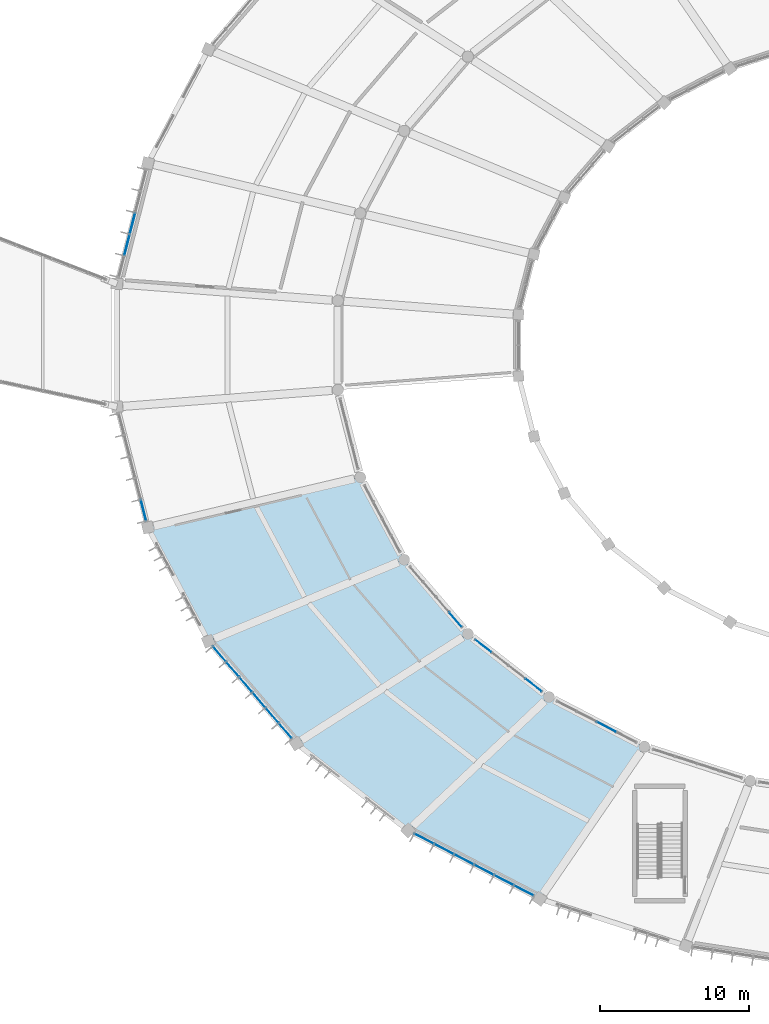
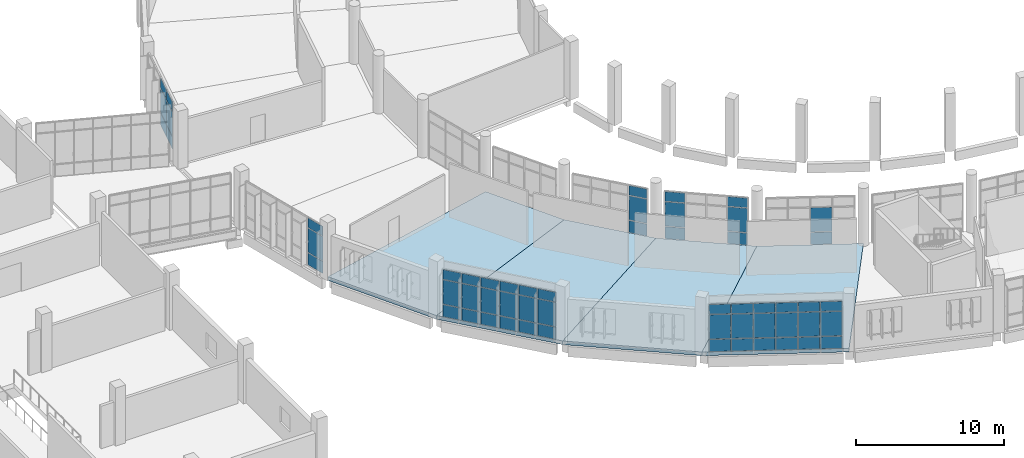
# One storey, part 85 of 179: 56 plates, 4 slabs, 7 elements without a shape of their own.
"""IFC4 building model written with IfcOpenShell, lengths in metres."""

from ifc_helpers import new_model, si_unit, direction, frame, origin, origin_2d, place, context, subcontext, project, spatial, polyline, rectangle, outline, extrude, material, layer, layer_set, type_object, element, aggregate, save


model = new_model("IFC4")

# Units and contexts
model_context = context("Model", 3, precision=1e-05, world=origin(), true_north=direction((0.0, 1.0)))
body_context = subcontext(model_context, "Body", "Model", "MODEL_VIEW")
ifc_project = project(units=[si_unit("LENGTHUNIT", "METRE"), si_unit("AREAUNIT", "SQUARE_METRE"), si_unit("VOLUMEUNIT", "CUBIC_METRE"), si_unit("PLANEANGLEUNIT", "RADIAN"), si_unit("MASSUNIT", "GRAM", prefix="KILO")], contexts=[model_context])

# Site, building, storey
site_placement = place(None, origin())
site = spatial("IfcSite", under=ifc_project, at=site_placement, CompositionType="ELEMENT")
building_placement = place(site_placement, origin())
building = spatial("IfcBuilding", under=site, at=building_placement, Name="Corvandel Quay Wholesale Market", CompositionType="ELEMENT")
storey_placement = place(building_placement, frame((0.0, 0.0, 6.0)))
storey = spatial("IfcBuildingStorey", under=building, at=storey_placement, Name="L01", CompositionType="ELEMENT", Elevation=6.0)

# Curtain wall, plates
ifc_material_1 = material(Name="Bronze anodised aluminium and low-E insulated glazing", Category="aluminium")
ifc_layer_1 = layer(ifc_material_1, 0.197998046875)
ifc_layer_set_1 = layer_set([ifc_layer_1], Name="Bronze anodised aluminium and low-E insulated glazing")
curtain_wall_type_1 = type_object("IfcCurtainWallType", Name="Stick Curtain Wall System CW19 H4710", PredefinedType="NOTDEFINED", material=ifc_layer_set_1)
curtain_wall_1_placement = place(storey_placement, origin())
curtain_wall_1 = element("IfcCurtainWall", 1, at=curtain_wall_1_placement, inside=storey, type_object=curtain_wall_type_1, Name="Curtain Wall CW-0043", PredefinedType="NOTDEFINED")
ifc_material_2 = material(Name="Solar-control low-E insulated glazing", Category="glass")
ifc_layer_2 = layer(ifc_material_2, 0.0400390625)
ifc_layer_set_2 = layer_set([ifc_layer_2], Name="Solar-control low-E insulated glazing")
plate_type_1 = type_object("IfcPlateType", Name="Ceramic Fritted Spandrel Panel PN03 40mm", PredefinedType="CURTAIN_PANEL", material=ifc_layer_set_2)
plate_1_placement = place(storey_placement, frame((61.03759765625, 50.194091796875, 3.1298828125), z_axis=(0.0, 0.0, 1.0), x_axis=(0.247675453076, 0.968843057437, 0.0)))
plate_1 = element("IfcPlate", 2, at=plate_1_placement, type_object=plate_type_1, Name="Glazing Panel CW-0043-P02-2", PredefinedType="CURTAIN_PANEL", context=body_context, shape_type="SweptSolid", body=[
    extrude(rectangle(XDim=1.429931640625, YDim=0.0400390625, at=origin_2d()), origin(), (0.0, 0.0, 1.0), 0.7900390625),
])
plate_2_placement = place(storey_placement, frame((60.6669921875, 48.74560546875, 3.1298828125), z_axis=(0.0, 0.0, 1.0), x_axis=(0.247675453076, 0.968843057437, 0.0)))
plate_2 = element("IfcPlate", 3, at=plate_2_placement, type_object=plate_type_1, Name="Glazing Panel CW-0043-P03-2", PredefinedType="CURTAIN_PANEL", context=body_context, shape_type="SweptSolid", body=[
    extrude(rectangle(XDim=1.429931640625, YDim=0.0400390625, at=origin_2d()), origin(), (0.0, 0.0, 1.0), 0.7900390625),
])

# Curtain wall, plate
ifc_layer_3 = layer(ifc_material_1, 0.162109375)
ifc_layer_set_3 = layer_set([ifc_layer_3], Name="Bronze anodised aluminium and low-E insulated glazing")
curtain_wall_type_2 = type_object("IfcCurtainWallType", Name="Stick Curtain Wall System CW21 H4890", PredefinedType="NOTDEFINED", material=ifc_layer_set_3)
curtain_wall_2_placement = place(storey_placement, origin())
curtain_wall_2 = element("IfcCurtainWall", 4, at=curtain_wall_2_placement, inside=storey, type_object=curtain_wall_type_2, Name="Curtain Wall CW-0048", PredefinedType="NOTDEFINED")
plate_3_placement = place(storey_placement, frame((61.7783203125, 30.9091796875, 3.1298828125), z_axis=(0.0, 0.0, 1.0), x_axis=(-0.247675453076, 0.968843057437, 0.0)))
plate_3 = element("IfcPlate", 5, at=plate_3_placement, type_object=plate_type_1, Name="Glazing Panel CW-0048-P04-2", PredefinedType="CURTAIN_PANEL", context=body_context, shape_type="SweptSolid", body=[
    extrude(rectangle(XDim=1.429931640625, YDim=0.0400390625, at=origin_2d()), origin(), (0.0, 0.0, 1.0), 0.7900390625),
])

# Curtain wall, plates
ifc_layer_4 = layer(ifc_material_1, 0.18603515625)
ifc_layer_set_4 = layer_set([ifc_layer_4], Name="Bronze anodised aluminium and low-E insulated glazing")
curtain_wall_type_3 = type_object("IfcCurtainWallType", Name="Stick Curtain Wall System CW23 H5070", PredefinedType="NOTDEFINED", material=ifc_layer_set_4)
curtain_wall_3_placement = place(storey_placement, origin())
curtain_wall_3 = element("IfcCurtainWall", 6, at=curtain_wall_3_placement, inside=storey, type_object=curtain_wall_type_3, Name="Curtain Wall CW-0053", PredefinedType="NOTDEFINED")
plate_4_placement = place(storey_placement, frame((66.8828125, 21.248291015625, 3.1298828125), z_axis=(0.0, 0.0, 1.0), x_axis=(-0.651568967347, 0.758589401976, 0.0)))
plate_4 = element("IfcPlate", 7, at=plate_4_placement, type_object=plate_type_1, Name="Glazing Panel CW-0053-P00-2", PredefinedType="CURTAIN_PANEL", context=body_context, shape_type="SweptSolid", body=[
    extrude(rectangle(XDim=1.29638671875, YDim=0.0400390625, at=origin_2d()), origin(), (0.0, 0.0, 1.0), 0.7900390625),
])
plate_5_placement = place(storey_placement, frame((67.769775390625, 20.215576171875, 3.1298828125), z_axis=(0.0, 0.0, 1.0), x_axis=(-0.651568967347, 0.758589401976, 0.0)))
plate_5 = element("IfcPlate", 8, at=plate_5_placement, type_object=plate_type_1, Name="Glazing Panel CW-0053-P01-2", PredefinedType="CURTAIN_PANEL", context=body_context, shape_type="SweptSolid", body=[
    extrude(rectangle(XDim=1.29638671875, YDim=0.0400390625, at=origin_2d()), origin(), (0.0, 0.0, 1.0), 0.7900390625),
])
plate_6_placement = place(storey_placement, frame((68.656982421875, 19.182861328125, 3.1298828125), z_axis=(0.0, 0.0, 1.0), x_axis=(-0.651568967347, 0.758589401976, 0.0)))
plate_6 = element("IfcPlate", 9, at=plate_6_placement, type_object=plate_type_1, Name="Glazing Panel CW-0053-P02-2", PredefinedType="CURTAIN_PANEL", context=body_context, shape_type="SweptSolid", body=[
    extrude(rectangle(XDim=1.29638671875, YDim=0.0400390625, at=origin_2d()), origin(), (0.0, 0.0, 1.0), 0.7900390625),
])
plate_7_placement = place(storey_placement, frame((69.5439453125, 18.150146484375, 3.1298828125), z_axis=(0.0, 0.0, 1.0), x_axis=(-0.651568967347, 0.758589401976, 0.0)))
plate_7 = element("IfcPlate", 10, at=plate_7_placement, type_object=plate_type_1, Name="Glazing Panel CW-0053-P03-2", PredefinedType="CURTAIN_PANEL", context=body_context, shape_type="SweptSolid", body=[
    extrude(rectangle(XDim=1.29638671875, YDim=0.0400390625, at=origin_2d()), origin(), (0.0, 0.0, 1.0), 0.7900390625),
])
plate_8_placement = place(storey_placement, frame((70.43115234375, 17.117431640625, 3.1298828125), z_axis=(0.0, 0.0, 1.0), x_axis=(-0.651568967347, 0.758589401976, 0.0)))
plate_8 = element("IfcPlate", 11, at=plate_8_placement, type_object=plate_type_1, Name="Glazing Panel CW-0053-P04-2", PredefinedType="CURTAIN_PANEL", context=body_context, shape_type="SweptSolid", body=[
    extrude(rectangle(XDim=1.29638671875, YDim=0.0400390625, at=origin_2d()), origin(), (0.0, 0.0, 1.0), 0.7900390625),
])
plate_9_placement = place(storey_placement, frame((71.318115234375, 16.084716796875, 3.1298828125), z_axis=(0.0, 0.0, 1.0), x_axis=(-0.651568967347, 0.758589401976, 0.0)))
plate_9 = element("IfcPlate", 12, at=plate_9_placement, type_object=plate_type_1, Name="Glazing Panel CW-0053-P05-2", PredefinedType="CURTAIN_PANEL", context=body_context, shape_type="SweptSolid", body=[
    extrude(rectangle(XDim=1.29638671875, YDim=0.0400390625, at=origin_2d()), origin(), (0.0, 0.0, 1.0), 0.7900390625),
])

# Curtain wall, plate
ifc_layer_5 = layer(ifc_material_1, 0.197998046875)
ifc_layer_set_5 = layer_set([ifc_layer_5], Name="Bronze anodised aluminium and low-E insulated glazing")
curtain_wall_type_4 = type_object("IfcCurtainWallType", Name="Stick Curtain Wall System CW09 H3810", PredefinedType="NOTDEFINED", material=ifc_layer_set_5)
curtain_wall_4_placement = place(storey_placement, origin())
curtain_wall_4 = element("IfcCurtainWall", 13, at=curtain_wall_4_placement, inside=storey, type_object=curtain_wall_type_4, Name="Curtain Wall CW-0055", PredefinedType="NOTDEFINED")
plate_10_placement = place(storey_placement, frame((82.76123046875, 23.5537109375, 3.1298828125), z_axis=(0.0, 0.0, 1.0), x_axis=(-0.651568967347, 0.758589401976, 0.0)))
plate_10 = element("IfcPlate", 14, at=plate_10_placement, type_object=plate_type_1, Name="Glazing Panel CW-0055-P03-2", PredefinedType="CURTAIN_PANEL", context=body_context, shape_type="SweptSolid", body=[
    extrude(rectangle(XDim=1.27880859375, YDim=0.0400390625, at=origin_2d()), origin(), (0.0, 0.0, 1.0), 0.7900390625),
])

# Curtain wall, plates
ifc_layer_6 = layer(ifc_material_1, 0.14990234375)
ifc_layer_set_6 = layer_set([ifc_layer_6], Name="Bronze anodised aluminium and low-E insulated glazing")
curtain_wall_type_5 = type_object("IfcCurtainWallType", Name="Stick Curtain Wall System CW10 H3900", PredefinedType="NOTDEFINED", material=ifc_layer_set_6)
curtain_wall_5_placement = place(storey_placement, origin())
curtain_wall_5 = element("IfcCurtainWall", 15, at=curtain_wall_5_placement, inside=storey, type_object=curtain_wall_type_5, Name="Curtain Wall CW-0058", PredefinedType="NOTDEFINED")
plate_11_placement = place(storey_placement, frame((84.626708984375, 21.78271484375, 3.1298828125), z_axis=(0.0, 0.0, 1.0), x_axis=(-0.789405615633, 0.613871952452, 0.0)))
plate_11 = element("IfcPlate", 16, at=plate_11_placement, type_object=plate_type_1, Name="Glazing Panel CW-0058-P00-2", PredefinedType="CURTAIN_PANEL", context=body_context, shape_type="SweptSolid", body=[
    extrude(rectangle(XDim=1.362060546875, YDim=0.0400390625, at=origin_2d()), origin(), (0.0, 0.0, 1.0), 0.7900390625),
])
plate_12_placement = place(storey_placement, frame((88.006103515625, 19.154296875, 3.1298828125), z_axis=(0.0, 0.0, 1.0), x_axis=(-0.789405615633, 0.613871952452, 0.0)))
plate_12 = element("IfcPlate", 17, at=plate_12_placement, type_object=plate_type_1, Name="Glazing Panel CW-0058-P03-2", PredefinedType="CURTAIN_PANEL", context=body_context, shape_type="SweptSolid", body=[
    extrude(rectangle(XDim=1.362060546875, YDim=0.0400390625, at=origin_2d()), origin(), (0.0, 0.0, 1.0), 0.7900390625),
])

ifc_layer_7 = layer(ifc_material_1, 0.14990234375)
ifc_layer_set_7 = layer_set([ifc_layer_7], Name="Bronze anodised aluminium and low-E insulated glazing")
curtain_wall_type_6 = type_object("IfcCurtainWallType", Name="Stick Curtain Wall System CW25 H5250", PredefinedType="NOTDEFINED", material=ifc_layer_set_7)
curtain_wall_6_placement = place(storey_placement, origin())
curtain_wall_6 = element("IfcCurtainWall", 18, at=curtain_wall_6_placement, inside=storey, type_object=curtain_wall_type_6, Name="Curtain Wall CW-0060", PredefinedType="NOTDEFINED")
plate_13_placement = place(storey_placement, frame((80.646728515625, 8.820068359375, 3.1298828125), z_axis=(0.0, 0.0, 1.0), x_axis=(-0.887332978338, 0.461129250378, 0.0)))
plate_13 = element("IfcPlate", 19, at=plate_13_placement, type_object=plate_type_1, Name="Glazing Panel CW-0060-P00-2", PredefinedType="CURTAIN_PANEL", context=body_context, shape_type="SweptSolid", body=[
    extrude(rectangle(XDim=1.4462890625, YDim=0.0400390625, at=origin_2d()), origin(), (0.0, 0.0, 1.0), 0.7900390625),
])
plate_14_placement = place(storey_placement, frame((81.98779296875, 8.123291015625, 3.1298828125), z_axis=(0.0, 0.0, 1.0), x_axis=(-0.887332978338, 0.461129250378, 0.0)))
plate_14 = element("IfcPlate", 20, at=plate_14_placement, type_object=plate_type_1, Name="Glazing Panel CW-0060-P01-2", PredefinedType="CURTAIN_PANEL", context=body_context, shape_type="SweptSolid", body=[
    extrude(rectangle(XDim=1.4462890625, YDim=0.0400390625, at=origin_2d()), origin(), (0.0, 0.0, 1.0), 0.7900390625),
])
plate_15_placement = place(storey_placement, frame((83.32861328125, 7.426513671875, 3.1298828125), z_axis=(0.0, 0.0, 1.0), x_axis=(-0.887332978338, 0.461129250378, 0.0)))
plate_15 = element("IfcPlate", 21, at=plate_15_placement, type_object=plate_type_1, Name="Glazing Panel CW-0060-P02-2", PredefinedType="CURTAIN_PANEL", context=body_context, shape_type="SweptSolid", body=[
    extrude(rectangle(XDim=1.4462890625, YDim=0.0400390625, at=origin_2d()), origin(), (0.0, 0.0, 1.0), 0.7900390625),
])
plate_16_placement = place(storey_placement, frame((84.66943359375, 6.7294921875, 3.1298828125), z_axis=(0.0, 0.0, 1.0), x_axis=(-0.887332978338, 0.461129250378, 0.0)))
plate_16 = element("IfcPlate", 22, at=plate_16_placement, type_object=plate_type_1, Name="Glazing Panel CW-0060-P03-2", PredefinedType="CURTAIN_PANEL", context=body_context, shape_type="SweptSolid", body=[
    extrude(rectangle(XDim=1.4462890625, YDim=0.0400390625, at=origin_2d()), origin(), (0.0, 0.0, 1.0), 0.7900390625),
])
plate_17_placement = place(storey_placement, frame((86.01025390625, 6.03271484375, 3.1298828125), z_axis=(0.0, 0.0, 1.0), x_axis=(-0.887332978338, 0.461129250378, 0.0)))
plate_17 = element("IfcPlate", 23, at=plate_17_placement, type_object=plate_type_1, Name="Glazing Panel CW-0060-P04-2", PredefinedType="CURTAIN_PANEL", context=body_context, shape_type="SweptSolid", body=[
    extrude(rectangle(XDim=1.4462890625, YDim=0.0400390625, at=origin_2d()), origin(), (0.0, 0.0, 1.0), 0.7900390625),
])
plate_18_placement = place(storey_placement, frame((87.351318359375, 5.3359375, 3.1298828125), z_axis=(0.0, 0.0, 1.0), x_axis=(-0.887332978338, 0.461129250378, 0.0)))
plate_18 = element("IfcPlate", 24, at=plate_18_placement, type_object=plate_type_1, Name="Glazing Panel CW-0060-P05-2", PredefinedType="CURTAIN_PANEL", context=body_context, shape_type="SweptSolid", body=[
    extrude(rectangle(XDim=1.4462890625, YDim=0.0400390625, at=origin_2d()), origin(), (0.0, 0.0, 1.0), 0.7900390625),
])

# Slabs
ifc_material_3 = material(Name="Concrete C40/50", Category="concrete")
ifc_layer_8 = layer(ifc_material_3, 0.300048828125)
ifc_layer_set_8 = layer_set([ifc_layer_8], Name="Concrete C40/50")
slab_type = type_object("IfcSlabType", Name="Composite Trading Gallery Floor Slab 300", PredefinedType="FLOOR", material=ifc_layer_set_8)
slab_1_placement = place(storey_placement, frame((0.0, 0.0, -0.300048828125)))
element("IfcSlab", 25, at=slab_1_placement, inside=storey, type_object=slab_type, Name="Slab SLB-0088", PredefinedType="FLOOR", context=body_context, shape_type="SweptSolid", body=[
    extrude(outline(polyline([(76.35498046875, 33.117919921875), (79.305908203125, 27.576904296875), (66.14599609375, 22.10595703125), (62.074951171875, 29.7490234375), (76.35498046875, 33.117919921875)])), origin(), (0.0, 0.0, 1.0), 0.300048828125),
])
slab_2_placement = place(storey_placement, frame((0.0, 0.0, -0.300048828125)))
element("IfcSlab", 26, at=slab_2_placement, inside=storey, type_object=slab_type, Name="Slab SLB-0092", PredefinedType="FLOOR", context=body_context, shape_type="SweptSolid", body=[
    extrude(outline(polyline([(79.305908203125, 27.576904296875), (83.590087890625, 22.589111328125), (72.054931640625, 15.22705078125), (66.14599609375, 22.10595703125), (79.305908203125, 27.576904296875)])), origin(), (0.0, 0.0, 1.0), 0.300048828125),
])
slab_3_placement = place(storey_placement, frame((0.0, 0.0, -0.300048828125)))
element("IfcSlab", 27, at=slab_3_placement, inside=storey, type_object=slab_type, Name="Slab SLB-0096", PredefinedType="FLOOR", context=body_context, shape_type="SweptSolid", body=[
    extrude(outline(polyline([(83.590087890625, 22.589111328125), (89.04296875, 18.347900390625), (79.576904296875, 9.3759765625), (72.054931640625, 15.22705078125), (83.590087890625, 22.589111328125)])), origin(), (0.0, 0.0, 1.0), 0.300048828125),
])
slab_4_placement = place(storey_placement, frame((0.0, 0.0, -0.300048828125)))
element("IfcSlab", 28, at=slab_4_placement, inside=storey, type_object=slab_type, Name="Slab SLB-0100", PredefinedType="FLOOR", context=body_context, shape_type="SweptSolid", body=[
    extrude(outline(polyline([(89.04296875, 18.347900390625), (95.4560546875, 15.01611328125), (88.4208984375, 4.780029296875), (79.576904296875, 9.3759765625), (89.04296875, 18.347900390625)])), origin(), (0.0, 0.0, 1.0), 0.300048828125),
])

# Plate
ifc_layer_9 = layer(ifc_material_2, 0.028076171875)
ifc_layer_set_9 = layer_set([ifc_layer_9], Name="Solar-control low-E insulated glazing")
plate_type_2 = type_object("IfcPlateType", Name="Double Low-E Vision Panel PN01 28mm", PredefinedType="CURTAIN_PANEL", material=ifc_layer_set_9)
plate_19_placement = place(storey_placement, frame((61.03759765625, 50.194091796875, 0.02978515625), z_axis=(0.0, 0.0, 1.0), x_axis=(0.247675453076, 0.968843057437, 0.0)))
plate_19 = element("IfcPlate", 29, at=plate_19_placement, type_object=plate_type_2, Name="Glazing Panel CW-0043-P02-0", PredefinedType="CURTAIN_PANEL", context=body_context, shape_type="SweptSolid", body=[
    extrude(rectangle(XDim=1.429931640625, YDim=0.028076171875, at=origin_2d()), origin(), (0.0, 0.0, 1.0), 0.989990234375),
])

plate_20_placement = place(storey_placement, frame((61.03759765625, 50.194091796875, 1.080078125), z_axis=(0.0, 0.0, 1.0), x_axis=(0.247675453076, 0.968843057437, 0.0)))
plate_20 = element("IfcPlate", 30, at=plate_20_placement, type_object=plate_type_2, Name="Glazing Panel CW-0043-P02-1", PredefinedType="CURTAIN_PANEL", context=body_context, shape_type="SweptSolid", body=[
    extrude(rectangle(XDim=1.429931640625, YDim=0.028076171875, at=origin_2d()), origin(), (0.0, 0.0, 1.0), 1.989990234375),
])

plate_21_placement = place(storey_placement, frame((60.6669921875, 48.74560546875, 0.02978515625), z_axis=(0.0, 0.0, 1.0), x_axis=(0.247675453076, 0.968843057437, 0.0)))
plate_21 = element("IfcPlate", 31, at=plate_21_placement, type_object=plate_type_2, Name="Glazing Panel CW-0043-P03-0", PredefinedType="CURTAIN_PANEL", context=body_context, shape_type="SweptSolid", body=[
    extrude(rectangle(XDim=1.429931640625, YDim=0.028076171875, at=origin_2d()), origin(), (0.0, 0.0, 1.0), 0.989990234375),
])

plate_22_placement = place(storey_placement, frame((60.6669921875, 48.74560546875, 1.080078125), z_axis=(0.0, 0.0, 1.0), x_axis=(0.247675453076, 0.968843057437, 0.0)))
plate_22 = element("IfcPlate", 32, at=plate_22_placement, type_object=plate_type_2, Name="Glazing Panel CW-0043-P03-1", PredefinedType="CURTAIN_PANEL", context=body_context, shape_type="SweptSolid", body=[
    extrude(rectangle(XDim=1.429931640625, YDim=0.028076171875, at=origin_2d()), origin(), (0.0, 0.0, 1.0), 1.989990234375),
])

aggregate(curtain_wall_1, [plate_19, plate_20, plate_1, plate_21, plate_22, plate_2])

plate_23_placement = place(storey_placement, frame((61.7783203125, 30.9091796875, 0.02978515625), z_axis=(0.0, 0.0, 1.0), x_axis=(-0.247675453076, 0.968843057437, 0.0)))
plate_23 = element("IfcPlate", 33, at=plate_23_placement, type_object=plate_type_2, Name="Glazing Panel CW-0048-P04-0", PredefinedType="CURTAIN_PANEL", context=body_context, shape_type="SweptSolid", body=[
    extrude(rectangle(XDim=1.429931640625, YDim=0.028076171875, at=origin_2d()), origin(), (0.0, 0.0, 1.0), 0.989990234375),
])

plate_24_placement = place(storey_placement, frame((61.7783203125, 30.9091796875, 1.080078125), z_axis=(0.0, 0.0, 1.0), x_axis=(-0.247675453076, 0.968843057437, 0.0)))
plate_24 = element("IfcPlate", 34, at=plate_24_placement, type_object=plate_type_2, Name="Glazing Panel CW-0048-P04-1", PredefinedType="CURTAIN_PANEL", context=body_context, shape_type="SweptSolid", body=[
    extrude(rectangle(XDim=1.429931640625, YDim=0.028076171875, at=origin_2d()), origin(), (0.0, 0.0, 1.0), 1.989990234375),
])

aggregate(curtain_wall_2, [plate_23, plate_24, plate_3])

plate_25_placement = place(storey_placement, frame((66.8828125, 21.248291015625, 0.02978515625), z_axis=(0.0, 0.0, 1.0), x_axis=(-0.651568967347, 0.758589401976, 0.0)))
plate_25 = element("IfcPlate", 35, at=plate_25_placement, type_object=plate_type_2, Name="Glazing Panel CW-0053-P00-0", PredefinedType="CURTAIN_PANEL", context=body_context, shape_type="SweptSolid", body=[
    extrude(rectangle(XDim=1.29638671875, YDim=0.028076171875, at=origin_2d()), origin(), (0.0, 0.0, 1.0), 0.989990234375),
])

plate_26_placement = place(storey_placement, frame((66.8828125, 21.248291015625, 1.080078125), z_axis=(0.0, 0.0, 1.0), x_axis=(-0.651568967347, 0.758589401976, 0.0)))
plate_26 = element("IfcPlate", 36, at=plate_26_placement, type_object=plate_type_2, Name="Glazing Panel CW-0053-P00-1", PredefinedType="CURTAIN_PANEL", context=body_context, shape_type="SweptSolid", body=[
    extrude(rectangle(XDim=1.29638671875, YDim=0.028076171875, at=origin_2d()), origin(), (0.0, 0.0, 1.0), 1.989990234375),
])

plate_27_placement = place(storey_placement, frame((67.769775390625, 20.215576171875, 0.02978515625), z_axis=(0.0, 0.0, 1.0), x_axis=(-0.651568967347, 0.758589401976, 0.0)))
plate_27 = element("IfcPlate", 37, at=plate_27_placement, type_object=plate_type_2, Name="Glazing Panel CW-0053-P01-0", PredefinedType="CURTAIN_PANEL", context=body_context, shape_type="SweptSolid", body=[
    extrude(rectangle(XDim=1.29638671875, YDim=0.028076171875, at=origin_2d()), origin(), (0.0, 0.0, 1.0), 0.989990234375),
])

plate_28_placement = place(storey_placement, frame((67.769775390625, 20.215576171875, 1.080078125), z_axis=(0.0, 0.0, 1.0), x_axis=(-0.651568967347, 0.758589401976, 0.0)))
plate_28 = element("IfcPlate", 38, at=plate_28_placement, type_object=plate_type_2, Name="Glazing Panel CW-0053-P01-1", PredefinedType="CURTAIN_PANEL", context=body_context, shape_type="SweptSolid", body=[
    extrude(rectangle(XDim=1.29638671875, YDim=0.028076171875, at=origin_2d()), origin(), (0.0, 0.0, 1.0), 1.989990234375),
])

plate_29_placement = place(storey_placement, frame((68.656982421875, 19.182861328125, 0.02978515625), z_axis=(0.0, 0.0, 1.0), x_axis=(-0.651568967347, 0.758589401976, 0.0)))
plate_29 = element("IfcPlate", 39, at=plate_29_placement, type_object=plate_type_2, Name="Glazing Panel CW-0053-P02-0", PredefinedType="CURTAIN_PANEL", context=body_context, shape_type="SweptSolid", body=[
    extrude(rectangle(XDim=1.29638671875, YDim=0.028076171875, at=origin_2d()), origin(), (0.0, 0.0, 1.0), 0.989990234375),
])

plate_30_placement = place(storey_placement, frame((68.656982421875, 19.182861328125, 1.080078125), z_axis=(0.0, 0.0, 1.0), x_axis=(-0.651568967347, 0.758589401976, 0.0)))
plate_30 = element("IfcPlate", 40, at=plate_30_placement, type_object=plate_type_2, Name="Glazing Panel CW-0053-P02-1", PredefinedType="CURTAIN_PANEL", context=body_context, shape_type="SweptSolid", body=[
    extrude(rectangle(XDim=1.29638671875, YDim=0.028076171875, at=origin_2d()), origin(), (0.0, 0.0, 1.0), 1.989990234375),
])

plate_31_placement = place(storey_placement, frame((69.5439453125, 18.150146484375, 0.02978515625), z_axis=(0.0, 0.0, 1.0), x_axis=(-0.651568967347, 0.758589401976, 0.0)))
plate_31 = element("IfcPlate", 41, at=plate_31_placement, type_object=plate_type_2, Name="Glazing Panel CW-0053-P03-0", PredefinedType="CURTAIN_PANEL", context=body_context, shape_type="SweptSolid", body=[
    extrude(rectangle(XDim=1.29638671875, YDim=0.028076171875, at=origin_2d()), origin(), (0.0, 0.0, 1.0), 0.989990234375),
])

plate_32_placement = place(storey_placement, frame((69.5439453125, 18.150146484375, 1.080078125), z_axis=(0.0, 0.0, 1.0), x_axis=(-0.651568967347, 0.758589401976, 0.0)))
plate_32 = element("IfcPlate", 42, at=plate_32_placement, type_object=plate_type_2, Name="Glazing Panel CW-0053-P03-1", PredefinedType="CURTAIN_PANEL", context=body_context, shape_type="SweptSolid", body=[
    extrude(rectangle(XDim=1.29638671875, YDim=0.028076171875, at=origin_2d()), origin(), (0.0, 0.0, 1.0), 1.989990234375),
])

plate_33_placement = place(storey_placement, frame((70.43115234375, 17.117431640625, 0.02978515625), z_axis=(0.0, 0.0, 1.0), x_axis=(-0.651568967347, 0.758589401976, 0.0)))
plate_33 = element("IfcPlate", 43, at=plate_33_placement, type_object=plate_type_2, Name="Glazing Panel CW-0053-P04-0", PredefinedType="CURTAIN_PANEL", context=body_context, shape_type="SweptSolid", body=[
    extrude(rectangle(XDim=1.29638671875, YDim=0.028076171875, at=origin_2d()), origin(), (0.0, 0.0, 1.0), 0.989990234375),
])

plate_34_placement = place(storey_placement, frame((70.43115234375, 17.117431640625, 1.080078125), z_axis=(0.0, 0.0, 1.0), x_axis=(-0.651568967347, 0.758589401976, 0.0)))
plate_34 = element("IfcPlate", 44, at=plate_34_placement, type_object=plate_type_2, Name="Glazing Panel CW-0053-P04-1", PredefinedType="CURTAIN_PANEL", context=body_context, shape_type="SweptSolid", body=[
    extrude(rectangle(XDim=1.29638671875, YDim=0.028076171875, at=origin_2d()), origin(), (0.0, 0.0, 1.0), 1.989990234375),
])

plate_35_placement = place(storey_placement, frame((71.318115234375, 16.084716796875, 0.02978515625), z_axis=(0.0, 0.0, 1.0), x_axis=(-0.651568967347, 0.758589401976, 0.0)))
plate_35 = element("IfcPlate", 45, at=plate_35_placement, type_object=plate_type_2, Name="Glazing Panel CW-0053-P05-0", PredefinedType="CURTAIN_PANEL", context=body_context, shape_type="SweptSolid", body=[
    extrude(rectangle(XDim=1.29638671875, YDim=0.028076171875, at=origin_2d()), origin(), (0.0, 0.0, 1.0), 0.989990234375),
])

plate_36_placement = place(storey_placement, frame((71.318115234375, 16.084716796875, 1.080078125), z_axis=(0.0, 0.0, 1.0), x_axis=(-0.651568967347, 0.758589401976, 0.0)))
plate_36 = element("IfcPlate", 46, at=plate_36_placement, type_object=plate_type_2, Name="Glazing Panel CW-0053-P05-1", PredefinedType="CURTAIN_PANEL", context=body_context, shape_type="SweptSolid", body=[
    extrude(rectangle(XDim=1.29638671875, YDim=0.028076171875, at=origin_2d()), origin(), (0.0, 0.0, 1.0), 1.989990234375),
])

aggregate(curtain_wall_3, [plate_25, plate_26, plate_4, plate_27, plate_28, plate_5, plate_29, plate_30, plate_6, plate_31, plate_32, plate_7, plate_33, plate_34, plate_8, plate_35, plate_36, plate_9])

plate_37_placement = place(storey_placement, frame((82.76123046875, 23.5537109375, 0.02978515625), z_axis=(0.0, 0.0, 1.0), x_axis=(-0.651568967347, 0.758589401976, 0.0)))
plate_37 = element("IfcPlate", 47, at=plate_37_placement, type_object=plate_type_2, Name="Glazing Panel CW-0055-P03-0", PredefinedType="CURTAIN_PANEL", context=body_context, shape_type="SweptSolid", body=[
    extrude(rectangle(XDim=1.27880859375, YDim=0.028076171875, at=origin_2d()), origin(), (0.0, 0.0, 1.0), 0.989990234375),
])

plate_38_placement = place(storey_placement, frame((82.76123046875, 23.5537109375, 1.080078125), z_axis=(0.0, 0.0, 1.0), x_axis=(-0.651568967347, 0.758589401976, 0.0)))
plate_38 = element("IfcPlate", 48, at=plate_38_placement, type_object=plate_type_2, Name="Glazing Panel CW-0055-P03-1", PredefinedType="CURTAIN_PANEL", context=body_context, shape_type="SweptSolid", body=[
    extrude(rectangle(XDim=1.27880859375, YDim=0.028076171875, at=origin_2d()), origin(), (0.0, 0.0, 1.0), 1.989990234375),
])

aggregate(curtain_wall_4, [plate_37, plate_38, plate_10])

plate_39_placement = place(storey_placement, frame((84.626708984375, 21.78271484375, 0.02978515625), z_axis=(0.0, 0.0, 1.0), x_axis=(-0.789405615633, 0.613871952452, 0.0)))
plate_39 = element("IfcPlate", 49, at=plate_39_placement, type_object=plate_type_2, Name="Glazing Panel CW-0058-P00-0", PredefinedType="CURTAIN_PANEL", context=body_context, shape_type="SweptSolid", body=[
    extrude(rectangle(XDim=1.362060546875, YDim=0.028076171875, at=origin_2d()), origin(), (0.0, 0.0, 1.0), 0.989990234375),
])

plate_40_placement = place(storey_placement, frame((84.626708984375, 21.78271484375, 1.080078125), z_axis=(0.0, 0.0, 1.0), x_axis=(-0.789405615633, 0.613871952452, 0.0)))
plate_40 = element("IfcPlate", 50, at=plate_40_placement, type_object=plate_type_2, Name="Glazing Panel CW-0058-P00-1", PredefinedType="CURTAIN_PANEL", context=body_context, shape_type="SweptSolid", body=[
    extrude(rectangle(XDim=1.362060546875, YDim=0.028076171875, at=origin_2d()), origin(), (0.0, 0.0, 1.0), 1.989990234375),
])

plate_41_placement = place(storey_placement, frame((88.006103515625, 19.154296875, 0.02978515625), z_axis=(0.0, 0.0, 1.0), x_axis=(-0.789405615633, 0.613871952452, 0.0)))
plate_41 = element("IfcPlate", 51, at=plate_41_placement, type_object=plate_type_2, Name="Glazing Panel CW-0058-P03-0", PredefinedType="CURTAIN_PANEL", context=body_context, shape_type="SweptSolid", body=[
    extrude(rectangle(XDim=1.362060546875, YDim=0.028076171875, at=origin_2d()), origin(), (0.0, 0.0, 1.0), 0.989990234375),
])

plate_42_placement = place(storey_placement, frame((88.006103515625, 19.154296875, 1.080078125), z_axis=(0.0, 0.0, 1.0), x_axis=(-0.789405615633, 0.613871952452, 0.0)))
plate_42 = element("IfcPlate", 52, at=plate_42_placement, type_object=plate_type_2, Name="Glazing Panel CW-0058-P03-1", PredefinedType="CURTAIN_PANEL", context=body_context, shape_type="SweptSolid", body=[
    extrude(rectangle(XDim=1.362060546875, YDim=0.028076171875, at=origin_2d()), origin(), (0.0, 0.0, 1.0), 1.989990234375),
])

aggregate(curtain_wall_5, [plate_39, plate_40, plate_11, plate_41, plate_42, plate_12])

plate_43_placement = place(storey_placement, frame((80.646728515625, 8.820068359375, 0.02978515625), z_axis=(0.0, 0.0, 1.0), x_axis=(-0.887332978338, 0.461129250378, 0.0)))
plate_43 = element("IfcPlate", 53, at=plate_43_placement, type_object=plate_type_2, Name="Glazing Panel CW-0060-P00-0", PredefinedType="CURTAIN_PANEL", context=body_context, shape_type="SweptSolid", body=[
    extrude(rectangle(XDim=1.4462890625, YDim=0.028076171875, at=origin_2d()), origin(), (0.0, 0.0, 1.0), 0.989990234375),
])

plate_44_placement = place(storey_placement, frame((80.646728515625, 8.820068359375, 1.080078125), z_axis=(0.0, 0.0, 1.0), x_axis=(-0.887332978338, 0.461129250378, 0.0)))
plate_44 = element("IfcPlate", 54, at=plate_44_placement, type_object=plate_type_2, Name="Glazing Panel CW-0060-P00-1", PredefinedType="CURTAIN_PANEL", context=body_context, shape_type="SweptSolid", body=[
    extrude(rectangle(XDim=1.4462890625, YDim=0.028076171875, at=origin_2d()), origin(), (0.0, 0.0, 1.0), 1.989990234375),
])

plate_45_placement = place(storey_placement, frame((81.98779296875, 8.123291015625, 0.02978515625), z_axis=(0.0, 0.0, 1.0), x_axis=(-0.887332978338, 0.461129250378, 0.0)))
plate_45 = element("IfcPlate", 55, at=plate_45_placement, type_object=plate_type_2, Name="Glazing Panel CW-0060-P01-0", PredefinedType="CURTAIN_PANEL", context=body_context, shape_type="SweptSolid", body=[
    extrude(rectangle(XDim=1.4462890625, YDim=0.028076171875, at=origin_2d()), origin(), (0.0, 0.0, 1.0), 0.989990234375),
])

plate_46_placement = place(storey_placement, frame((81.98779296875, 8.123291015625, 1.080078125), z_axis=(0.0, 0.0, 1.0), x_axis=(-0.887332978338, 0.461129250378, 0.0)))
plate_46 = element("IfcPlate", 56, at=plate_46_placement, type_object=plate_type_2, Name="Glazing Panel CW-0060-P01-1", PredefinedType="CURTAIN_PANEL", context=body_context, shape_type="SweptSolid", body=[
    extrude(rectangle(XDim=1.4462890625, YDim=0.028076171875, at=origin_2d()), origin(), (0.0, 0.0, 1.0), 1.989990234375),
])

plate_47_placement = place(storey_placement, frame((83.32861328125, 7.426513671875, 0.02978515625), z_axis=(0.0, 0.0, 1.0), x_axis=(-0.887332978338, 0.461129250378, 0.0)))
plate_47 = element("IfcPlate", 57, at=plate_47_placement, type_object=plate_type_2, Name="Glazing Panel CW-0060-P02-0", PredefinedType="CURTAIN_PANEL", context=body_context, shape_type="SweptSolid", body=[
    extrude(rectangle(XDim=1.4462890625, YDim=0.028076171875, at=origin_2d()), origin(), (0.0, 0.0, 1.0), 0.989990234375),
])

plate_48_placement = place(storey_placement, frame((83.32861328125, 7.426513671875, 1.080078125), z_axis=(0.0, 0.0, 1.0), x_axis=(-0.887332978338, 0.461129250378, 0.0)))
plate_48 = element("IfcPlate", 58, at=plate_48_placement, type_object=plate_type_2, Name="Glazing Panel CW-0060-P02-1", PredefinedType="CURTAIN_PANEL", context=body_context, shape_type="SweptSolid", body=[
    extrude(rectangle(XDim=1.4462890625, YDim=0.028076171875, at=origin_2d()), origin(), (0.0, 0.0, 1.0), 1.989990234375),
])

plate_49_placement = place(storey_placement, frame((84.66943359375, 6.7294921875, 0.02978515625), z_axis=(0.0, 0.0, 1.0), x_axis=(-0.887332978338, 0.461129250378, 0.0)))
plate_49 = element("IfcPlate", 59, at=plate_49_placement, type_object=plate_type_2, Name="Glazing Panel CW-0060-P03-0", PredefinedType="CURTAIN_PANEL", context=body_context, shape_type="SweptSolid", body=[
    extrude(rectangle(XDim=1.4462890625, YDim=0.028076171875, at=origin_2d()), origin(), (0.0, 0.0, 1.0), 0.989990234375),
])

plate_50_placement = place(storey_placement, frame((84.66943359375, 6.7294921875, 1.080078125), z_axis=(0.0, 0.0, 1.0), x_axis=(-0.887332978338, 0.461129250378, 0.0)))
plate_50 = element("IfcPlate", 60, at=plate_50_placement, type_object=plate_type_2, Name="Glazing Panel CW-0060-P03-1", PredefinedType="CURTAIN_PANEL", context=body_context, shape_type="SweptSolid", body=[
    extrude(rectangle(XDim=1.4462890625, YDim=0.028076171875, at=origin_2d()), origin(), (0.0, 0.0, 1.0), 1.989990234375),
])

plate_51_placement = place(storey_placement, frame((86.01025390625, 6.03271484375, 0.02978515625), z_axis=(0.0, 0.0, 1.0), x_axis=(-0.887332978338, 0.461129250378, 0.0)))
plate_51 = element("IfcPlate", 61, at=plate_51_placement, type_object=plate_type_2, Name="Glazing Panel CW-0060-P04-0", PredefinedType="CURTAIN_PANEL", context=body_context, shape_type="SweptSolid", body=[
    extrude(rectangle(XDim=1.4462890625, YDim=0.028076171875, at=origin_2d()), origin(), (0.0, 0.0, 1.0), 0.989990234375),
])

plate_52_placement = place(storey_placement, frame((86.01025390625, 6.03271484375, 1.080078125), z_axis=(0.0, 0.0, 1.0), x_axis=(-0.887332978338, 0.461129250378, 0.0)))
plate_52 = element("IfcPlate", 62, at=plate_52_placement, type_object=plate_type_2, Name="Glazing Panel CW-0060-P04-1", PredefinedType="CURTAIN_PANEL", context=body_context, shape_type="SweptSolid", body=[
    extrude(rectangle(XDim=1.4462890625, YDim=0.028076171875, at=origin_2d()), origin(), (0.0, 0.0, 1.0), 1.989990234375),
])

plate_53_placement = place(storey_placement, frame((87.351318359375, 5.3359375, 0.02978515625), z_axis=(0.0, 0.0, 1.0), x_axis=(-0.887332978338, 0.461129250378, 0.0)))
plate_53 = element("IfcPlate", 63, at=plate_53_placement, type_object=plate_type_2, Name="Glazing Panel CW-0060-P05-0", PredefinedType="CURTAIN_PANEL", context=body_context, shape_type="SweptSolid", body=[
    extrude(rectangle(XDim=1.4462890625, YDim=0.028076171875, at=origin_2d()), origin(), (0.0, 0.0, 1.0), 0.989990234375),
])

plate_54_placement = place(storey_placement, frame((87.351318359375, 5.3359375, 1.080078125), z_axis=(0.0, 0.0, 1.0), x_axis=(-0.887332978338, 0.461129250378, 0.0)))
plate_54 = element("IfcPlate", 64, at=plate_54_placement, type_object=plate_type_2, Name="Glazing Panel CW-0060-P05-1", PredefinedType="CURTAIN_PANEL", context=body_context, shape_type="SweptSolid", body=[
    extrude(rectangle(XDim=1.4462890625, YDim=0.028076171875, at=origin_2d()), origin(), (0.0, 0.0, 1.0), 1.989990234375),
])

aggregate(curtain_wall_6, [plate_43, plate_44, plate_13, plate_45, plate_46, plate_14, plate_47, plate_48, plate_15, plate_49, plate_50, plate_16, plate_51, plate_52, plate_17, plate_53, plate_54, plate_18])

# Curtain wall, plates
ifc_layer_10 = layer(ifc_material_1, 0.162109375)
ifc_layer_set_10 = layer_set([ifc_layer_10], Name="Bronze anodised aluminium and low-E insulated glazing")
curtain_wall_type_7 = type_object("IfcCurtainWallType", Name="Stick Curtain Wall System CW11 H3990", PredefinedType="NOTDEFINED", material=ifc_layer_set_10)
curtain_wall_7_placement = place(storey_placement, origin())
curtain_wall_7 = element("IfcCurtainWall", 65, at=curtain_wall_7_placement, inside=storey, type_object=curtain_wall_type_7, Name="Curtain Wall CW-0061", PredefinedType="NOTDEFINED")
plate_55_placement = place(storey_placement, frame((92.91796875, 16.334716796875, 0.02978515625), z_axis=(0.0, 0.0, 1.0), x_axis=(-0.887332978338, 0.461129250378, 0.0)))
plate_55 = element("IfcPlate", 66, at=plate_55_placement, type_object=plate_type_2, Name="Glazing Panel CW-0061-P02-0", PredefinedType="CURTAIN_PANEL", context=body_context, shape_type="SweptSolid", body=[
    extrude(rectangle(XDim=1.44189453125, YDim=0.028076171875, at=origin_2d()), origin(), (0.0, 0.0, 1.0), 0.989990234375),
])
plate_56_placement = place(storey_placement, frame((92.91796875, 16.334716796875, 1.080078125), z_axis=(0.0, 0.0, 1.0), x_axis=(-0.887332978338, 0.461129250378, 0.0)))
plate_56 = element("IfcPlate", 67, at=plate_56_placement, type_object=plate_type_2, Name="Glazing Panel CW-0061-P02-1", PredefinedType="CURTAIN_PANEL", context=body_context, shape_type="SweptSolid", body=[
    extrude(rectangle(XDim=1.44189453125, YDim=0.028076171875, at=origin_2d()), origin(), (0.0, 0.0, 1.0), 1.989990234375),
])
aggregate(curtain_wall_7, [plate_55, plate_56])

save(model, "model.ifc")
